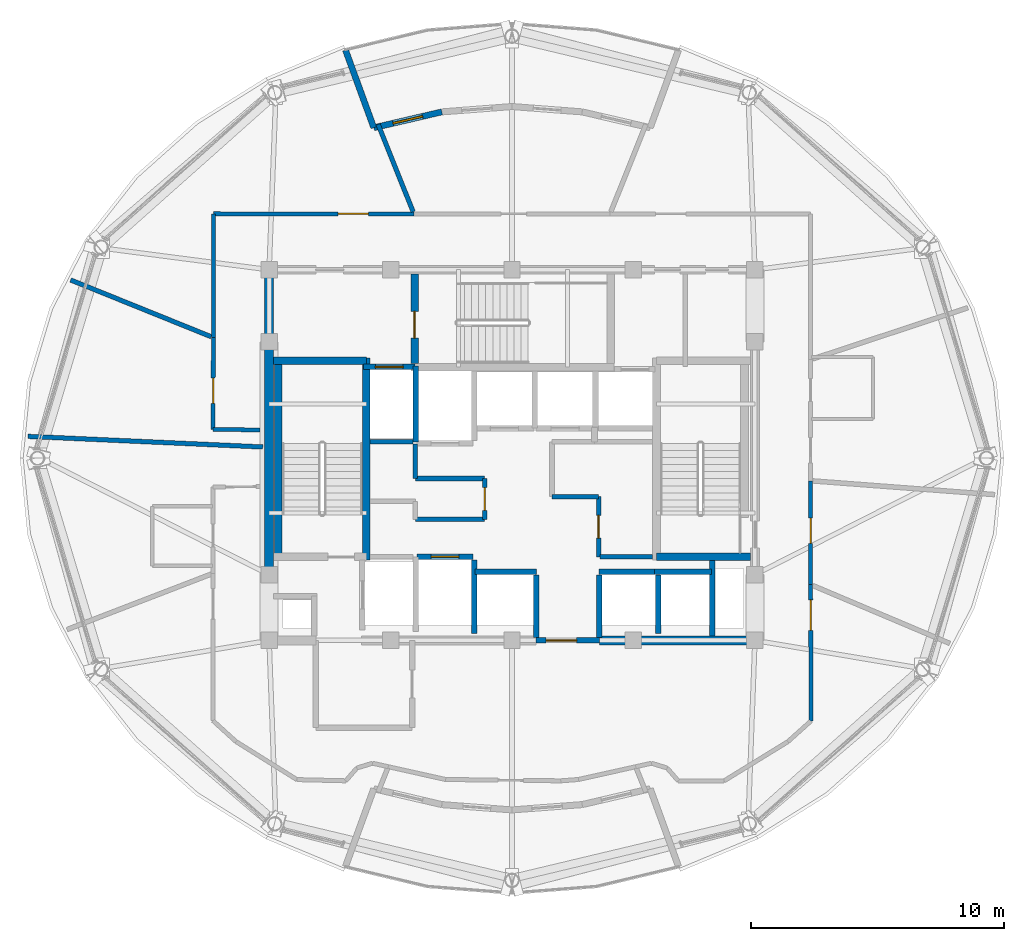
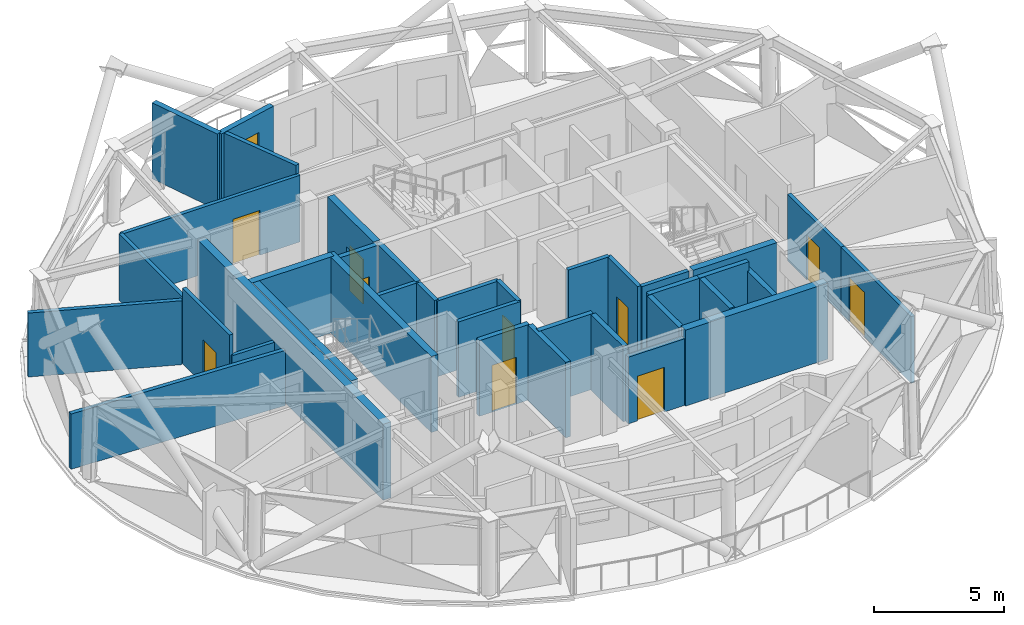
# One storey, part 8 of 13: 38 walls, 10 doors, 1 window, 11 openings.
"""IFC4 building model written with IfcOpenShell, lengths in metres."""

from ifc_helpers import new_model, si_unit, direction, frame, frame_2d, origin, place, context, subcontext, project, spatial, rectangle, extrude, material, layer, layer_set, type_object, element, fill, save


model = new_model("IFC4")

# Units and contexts
model_context = context("Model", 3, precision=1e-05, world=origin(), true_north=direction((0.0, 1.0)))
body_context = subcontext(model_context, "Body", "Model", "MODEL_VIEW")
ifc_project = project(units=[si_unit("LENGTHUNIT", "METRE"), si_unit("AREAUNIT", "SQUARE_METRE"), si_unit("VOLUMEUNIT", "CUBIC_METRE"), si_unit("PLANEANGLEUNIT", "RADIAN"), si_unit("MASSUNIT", "GRAM", prefix="KILO")], contexts=[model_context])

# Site, building, storey
site_placement = place(None, origin())
site = spatial("IfcSite", under=ifc_project, at=site_placement, CompositionType="ELEMENT")
building_placement = place(site_placement, origin())
building = spatial("IfcBuilding", under=site, at=building_placement, Name="Vantalir Tower", CompositionType="ELEMENT")
storey_placement = place(building_placement, frame((0.0, 0.0, 282.60009765625)))
storey = spatial("IfcBuildingStorey", under=building, at=storey_placement, Name="L71", CompositionType="ELEMENT", Elevation=282.60009765625)

# Walls
ifc_material_1 = material(Name="Concrete C50/60", Category="concrete")
ifc_layer_1 = layer(ifc_material_1, 0.35009765625)
ifc_layer_set_1 = layer_set([ifc_layer_1], Name="Concrete C50/60")
wall_type_1 = type_object("IfcWallType", Name="WL-CORE-350", PredefinedType="SHEAR", material=ifc_layer_set_1)
wall_1_placement = place(storey_placement, frame((34.949951171875, 17.800048828125, 0.0), z_axis=(0.0, 0.0, 1.0), x_axis=(1.0, 0.0, 0.0)))
element("IfcWall", 1, at=wall_1_placement, inside=storey, type_object=wall_type_1, Name="L71 Core Shear Wall South-East", PredefinedType="SHEAR", context=body_context, shape_type="SweptSolid", body=[
    extrude(rectangle(XDim=6.324951171875, YDim=0.35009765625, at=frame_2d((3.16259765625, 0.0))), origin(), (0.0, 0.0, 1.0), 3.56982421875),
])
wall_2_placement = place(storey_placement, frame((21.89990234375, 17.97509765625, 0.0), z_axis=(0.0, 0.0, 1.0), x_axis=(0.0, 1.0, 0.0)))
element("IfcWall", 2, at=wall_2_placement, inside=storey, type_object=wall_type_1, Name="L71 Core Shear Wall West", PredefinedType="SHEAR", context=body_context, shape_type="SweptSolid", body=[
    extrude(rectangle(XDim=14.2998046875, YDim=0.35009765625, at=frame_2d((7.14990234375, 0.0))), origin(), (0.0, 0.0, 1.0), 3.56982421875),
])
ifc_material_2 = material(Name="Fire-rated hotel corridor acoustic partition", Category="gypsum")
ifc_layer_2 = layer(ifc_material_2, 0.159912109375)
ifc_layer_set_2 = layer_set([ifc_layer_2], Name="Fire-rated hotel corridor acoustic partition")
wall_type_2 = type_object("IfcWallType", Name="WL-CORR-160", PredefinedType="PARTITIONING", material=ifc_layer_set_2)
wall_3_placement = place(storey_placement, frame((21.544921875, 26.116943359375, 0.0), z_axis=(0.0, 0.0, 1.0), x_axis=(-0.999908513059, 0.0135264745, 0.0)))
element("IfcWall", 3, at=wall_3_placement, inside=storey, type_object=wall_type_2, Name="L71 Corridor Partition 01", PredefinedType="PARTITIONING", context=body_context, shape_type="SweptSolid", body=[
    extrude(rectangle(XDim=1.859130859375, YDim=0.159912109375, at=frame_2d((0.9296875, 0.0))), origin(), (0.0, 0.0, 1.0), 2.594970703125),
])

# Wall, opening, door
wall_4_placement = place(storey_placement, frame((19.68603515625, 26.14208984375, 0.0), z_axis=(0.0, 0.0, 1.0), x_axis=(0.002760560448, 0.999996189646, 0.0)))
wall_4 = element("IfcWall", 4, at=wall_4_placement, inside=storey, type_object=wall_type_2, Name="L71 Corridor Partition 02", PredefinedType="PARTITIONING", context=body_context, shape_type="SweptSolid", body=[
    extrude(rectangle(XDim=3.6259765625, YDim=0.159912109375, at=frame_2d((1.81298828125, 0.0))), origin(), (0.0, 0.0, 1.0), 3.5498046875),
])
opening_1_placement = place(wall_4_placement, frame((1.02490234375, 0.0, 0.0)))
opening_1 = element("IfcOpeningElement", 5, at=opening_1_placement, cuts=wall_4, Name="Opening D-GUEST", PredefinedType="OPENING", context=body_context, shape_type="SweptSolid", body=[
    extrude(rectangle(XDim=1.0, YDim=2.10009765625, at=frame_2d((0.5, 1.050048828125))), frame((0.0, 0.08984375, 0.0), z_axis=(0.0, -1.0, 0.0), x_axis=(1.0, 0.0, 0.0)), (0.0, 0.0, 1.0), 0.179931640625),
])
ifc_material_3 = material(Name="Solid-core teak veneer acoustic fire door", Category="wood")
door_type_1 = type_object("IfcDoorType", Name="DR-GUEST-ENTRY-1000", OperationType="NOTDEFINED", PredefinedType="DOOR", material=ifc_material_3)
door_1_placement = place(opening_1_placement, origin())
door_1 = element("IfcDoor", 6, at=door_1_placement, inside=storey, type_object=door_type_1, Name="L71 Executive Business Study 04 Door", OperationType="SINGLE_SWING_LEFT", OverallHeight=2.10009765625, OverallWidth=1.0, PredefinedType="DOOR", context=body_context, shape_type="SweptSolid", body=[
    extrude(rectangle(XDim=1.0, YDim=2.10009765625, at=frame_2d((0.5, 1.050048828125))), frame((0.0, 0.02490234375, 0.0), z_axis=(0.0, -1.0, 0.0), x_axis=(1.0, 0.0, 0.0)), (0.0, 0.0, 1.0), 0.050048828125),
])
fill(opening_1, door_1)

# Wall
wall_5_placement = place(storey_placement, frame((19.696044921875, 29.76806640625, 0.0), z_axis=(0.0, 0.0, 1.0), x_axis=(0.002843448547, 0.999995957392, 0.0)))
element("IfcWall", 7, at=wall_5_placement, inside=storey, type_object=wall_type_2, Name="L71 Corridor Partition 03", PredefinedType="PARTITIONING", context=body_context, shape_type="SweptSolid", body=[
    extrude(rectangle(XDim=4.89404296875, YDim=0.159912109375, at=frame_2d((2.447021484375, 0.0))), origin(), (0.0, 0.0, 1.0), 3.1318359375),
])

# Wall, opening, door
wall_6_placement = place(storey_placement, frame((19.7099609375, 34.662109375, 0.0), z_axis=(0.0, 0.0, 1.0), x_axis=(0.999999988104, -0.000154244816, 0.0)))
wall_6 = element("IfcWall", 8, at=wall_6_placement, inside=storey, type_object=wall_type_2, Name="L71 Corridor Partition 04", PredefinedType="PARTITIONING", context=body_context, shape_type="SweptSolid", body=[
    extrude(rectangle(XDim=7.9140625, YDim=0.159912109375, at=frame_2d((3.95703125, 0.0))), origin(), (0.0, 0.0, 1.0), 3.1318359375),
])
opening_2_placement = place(wall_6_placement, frame((4.91796875, 0.0, 0.0)))
opening_2 = element("IfcOpeningElement", 9, at=opening_2_placement, cuts=wall_6, Name="Opening D-STE", PredefinedType="OPENING", context=body_context, shape_type="SweptSolid", body=[
    extrude(rectangle(XDim=1.199951171875, YDim=2.10009765625, at=frame_2d((0.60009765625, 1.050048828125))), frame((0.0, 0.08984375, 0.0), z_axis=(0.0, -1.0, 0.0), x_axis=(1.0, 0.0, 0.0)), (0.0, 0.0, 1.0), 0.179931640625),
])
ifc_material_4 = material(Name="Solid-core teak veneer suite entrance door", Category="wood")
door_type_2 = type_object("IfcDoorType", Name="DR-SUITE-ENTRY-1200", OperationType="NOTDEFINED", PredefinedType="DOOR", material=ifc_material_4)
door_2_placement = place(opening_2_placement, origin())
door_2 = element("IfcDoor", 10, at=door_2_placement, inside=storey, type_object=door_type_2, Name="L71 Club Reading Lounge 03 Door", OperationType="SINGLE_SWING_RIGHT", OverallHeight=2.10009765625, OverallWidth=1.199951171875, PredefinedType="DOOR", context=body_context, shape_type="SweptSolid", body=[
    extrude(rectangle(XDim=1.199951171875, YDim=2.10009765625, at=frame_2d((0.60009765625, 1.050048828125))), frame((0.0, 0.02490234375, 0.0), z_axis=(0.0, -1.0, 0.0), x_axis=(1.0, 0.0, 0.0)), (0.0, 0.0, 1.0), 0.050048828125),
])
fill(opening_2, door_2)

wall_7_placement = place(storey_placement, frame((43.302978515625, 24.110107421875, 0.0), z_axis=(0.0, 0.0, 1.0), x_axis=(0.000713648346, -0.999999745353, 0.0)))
wall_7 = element("IfcWall", 11, at=wall_7_placement, inside=storey, type_object=wall_type_2, Name="L71 Corridor Partition 09", PredefinedType="PARTITIONING", context=body_context, shape_type="SweptSolid", body=[
    extrude(rectangle(XDim=4.105224609375, YDim=0.159912109375, at=frame_2d((2.052734375, 0.0))), origin(), (0.0, 0.0, 1.0), 3.1318359375),
])
opening_3_placement = place(wall_7_placement, frame((1.47900390625, 0.0, 0.0)))
opening_3 = element("IfcOpeningElement", 12, at=opening_3_placement, cuts=wall_7, Name="Opening D-GUEST", PredefinedType="OPENING", context=body_context, shape_type="SweptSolid", body=[
    extrude(rectangle(XDim=1.0, YDim=2.10009765625, at=frame_2d((0.5, 1.050048828125))), frame((0.0, 0.08984375, 0.0), z_axis=(0.0, -1.0, 0.0), x_axis=(1.0, 0.0, 0.0)), (0.0, 0.0, 1.0), 0.179931640625),
])
door_3_placement = place(opening_3_placement, origin())
door_3 = element("IfcDoor", 13, at=door_3_placement, inside=storey, type_object=door_type_1, Name="L71 Executive Business Study 09 Door", OperationType="SINGLE_SWING_RIGHT", OverallHeight=2.10009765625, OverallWidth=1.0, PredefinedType="DOOR", context=body_context, shape_type="SweptSolid", body=[
    extrude(rectangle(XDim=1.0, YDim=2.10009765625, at=frame_2d((0.5, 1.050048828125))), frame((0.0, 0.02490234375, 0.0), z_axis=(0.0, -1.0, 0.0), x_axis=(1.0, 0.0, 0.0)), (0.0, 0.0, 1.0), 0.050048828125),
])
fill(opening_3, door_3)

wall_8_placement = place(storey_placement, frame((43.305908203125, 20.0048828125, 0.0), z_axis=(0.0, 0.0, 1.0), x_axis=(0.000950699014, -0.999999548086, 0.0)))
wall_8 = element("IfcWall", 14, at=wall_8_placement, inside=storey, type_object=wall_type_2, Name="L71 Corridor Partition 10", PredefinedType="PARTITIONING", context=body_context, shape_type="SweptSolid", body=[
    extrude(rectangle(XDim=5.392822265625, YDim=0.159912109375, at=frame_2d((2.6962890625, 0.0))), origin(), (0.0, 0.0, 1.0), 3.1318359375),
])
opening_4_placement = place(wall_8_placement, frame((0.60693359375, 0.0, 0.0)))
opening_4 = element("IfcOpeningElement", 15, at=opening_4_placement, cuts=wall_8, Name="Opening D-STE", PredefinedType="OPENING", context=body_context, shape_type="SweptSolid", body=[
    extrude(rectangle(XDim=1.199951171875, YDim=2.10009765625, at=frame_2d((0.60009765625, 1.050048828125))), frame((0.0, 0.08984375, 0.0), z_axis=(0.0, -1.0, 0.0), x_axis=(1.0, 0.0, 0.0)), (0.0, 0.0, 1.0), 0.179931640625),
])
door_4_placement = place(opening_4_placement, origin())
door_4 = element("IfcDoor", 16, at=door_4_placement, inside=storey, type_object=door_type_2, Name="L71 Club Reading Lounge 08 Door", OperationType="SINGLE_SWING_LEFT", OverallHeight=2.10009765625, OverallWidth=1.199951171875, PredefinedType="DOOR", context=body_context, shape_type="SweptSolid", body=[
    extrude(rectangle(XDim=1.199951171875, YDim=2.10009765625, at=frame_2d((0.60009765625, 1.050048828125))), frame((0.0, 0.02490234375, 0.0), z_axis=(0.0, -1.0, 0.0), x_axis=(1.0, 0.0, 0.0)), (0.0, 0.0, 1.0), 0.050048828125),
])
fill(opening_4, door_4)

# Wall
ifc_material_5 = material(Name="Precast concrete C40/50 insulated sky-garden wall", Category="concrete")
ifc_layer_3 = layer(ifc_material_5, 0.239990234375)
ifc_layer_set_3 = layer_set([ifc_layer_3], Name="Precast concrete C40/50 insulated sky-garden wall")
wall_type_3 = type_object("IfcWallType", Name="WL-EXT-SG-240", PredefinedType="SOLIDWALL", material=ifc_layer_set_3)
wall_9_placement = place(storey_placement, frame((26.0380859375, 38.06201171875, 0.0), z_axis=(0.0, 0.0, 1.0), x_axis=(-0.341934878677, 0.939723650199, 0.0)))
element("IfcWall", 17, at=wall_9_placement, inside=storey, type_object=wall_type_3, Name="L71 Wind Portal Return NB", PredefinedType="SOLIDWALL", context=body_context, shape_type="SweptSolid", body=[
    extrude(rectangle(XDim=3.27001953125, YDim=0.239990234375, at=frame_2d((1.635009765625, 0.0))), origin(), (0.0, 0.0, 1.0), 3.56982421875),
])

# Wall, opening, window
wall_10_placement = place(storey_placement, frame((28.72705078125, 38.68896484375, 0.0), z_axis=(0.0, 0.0, 1.0), x_axis=(-0.973879024803, -0.227067490076, 0.0)))
wall_10 = element("IfcWall", 18, at=wall_10_placement, inside=storey, type_object=wall_type_3, Name="L71 Wind Portal Lounge Wall N4", PredefinedType="SOLIDWALL", context=body_context, shape_type="SweptSolid", body=[
    extrude(rectangle(XDim=2.760986328125, YDim=0.239990234375, at=frame_2d((1.38037109375, 0.0))), origin(), (0.0, 0.0, 1.0), 3.56982421875),
])
opening_5_placement = place(wall_10_placement, frame((0.781005859375, 0.0, 0.89990234375)))
opening_5 = element("IfcOpeningElement", 19, at=opening_5_placement, cuts=wall_10, Name="Opening WN-4", PredefinedType="OPENING", context=body_context, shape_type="SweptSolid", body=[
    extrude(rectangle(XDim=1.199951171875, YDim=1.800048828125, at=frame_2d((0.60009765625, 0.89990234375))), frame((0.0, 0.1298828125, 0.0), z_axis=(0.0, -1.0, 0.0), x_axis=(1.0, 0.0, 0.0)), (0.0, 0.0, 1.0), 0.260009765625),
])
ifc_material_6 = material(Name="Operable smoke-vent Low-E window", Category="glass")
window_type = type_object("IfcWindowType", Name="WIN-SG-1200x1800", PartitioningType="SINGLE_PANEL", PredefinedType="WINDOW", material=ifc_material_6)
window_placement = place(opening_5_placement, origin())
window = element("IfcWindow", 20, at=window_placement, inside=storey, type_object=window_type, Name="L71 Wind Portal Viewing Window N4", OverallHeight=1.800048828125, OverallWidth=1.199951171875, PartitioningType="SINGLE_PANEL", PredefinedType="WINDOW", context=body_context, shape_type="SweptSolid", body=[
    extrude(rectangle(XDim=1.199951171875, YDim=1.800048828125, at=frame_2d((0.60009765625, 0.89990234375))), frame((0.0, 0.030029296875, 0.0), z_axis=(0.0, -1.0, 0.0), x_axis=(1.0, 0.0, 0.0)), (0.0, 0.0, 1.0), 0.06005859375),
])
fill(opening_5, window)

# Walls
ifc_material_7 = material(Name="Concrete blockwork with fireboard lining", Category="masonry")
ifc_layer_4 = layer(ifc_material_7, 0.219970703125)
ifc_layer_set_4 = layer_set([ifc_layer_4], Name="Concrete blockwork with fireboard lining")
wall_type_4 = type_object("IfcWallType", Name="WL-FFL-220", PredefinedType="PARTITIONING", material=ifc_layer_set_4)
wall_11_placement = place(storey_placement, frame((30.0, 18.080078125, 0.0), z_axis=(0.0, 0.0, 1.0), x_axis=(0.0, 1.0, 0.0)))
element("IfcWall", 21, at=wall_11_placement, inside=storey, type_object=wall_type_4, Name="L71 Service Lift SV1 East Shaft Wall", PredefinedType="PARTITIONING", context=body_context, shape_type="SweptSolid", body=[
    extrude(rectangle(XDim=2.89990234375, YDim=0.219970703125, at=frame_2d((1.449951171875, 0.0))), origin(), (0.0, 0.0, 1.0), 3.544921875),
])
for number, where, z_axis, x_axis, name in (
    (22, (32.449951171875, 17.919921875, 0.0), (0.0, 0.0, 1.0), (0.0, 1.0, 0.0), "L71 Shuttle Lift PL-X1 East Shaft Cheek"),
    (23, (34.949951171875, 17.919921875, 0.0), (0.0, 0.0, 1.0), (0.0, 1.0, 0.0), "L71 Shuttle Lift PL-X3 West Shaft Cheek"),
):
    element("IfcWall", number, at=place(storey_placement, frame(where, z_axis=z_axis, x_axis=x_axis)), inside=storey, type_object=wall_type_4, Name=name, PredefinedType="PARTITIONING", context=body_context, shape_type="SweptSolid", body=[
        extrude(rectangle(XDim=2.469970703125, YDim=0.219970703125, at=frame_2d((1.23486328125, 0.0))), origin(), (0.0, 0.0, 1.0), 3.544921875),
    ])
wall_12_placement = place(storey_placement, frame((37.27490234375, 18.080078125, 0.0), z_axis=(0.0, 0.0, 1.0), x_axis=(0.0, 1.0, 0.0)))
element("IfcWall", 24, at=wall_12_placement, inside=storey, type_object=wall_type_4, Name="L71 Shuttle Lift PL-X2/X3 Shaft Divider", PredefinedType="PARTITIONING", context=body_context, shape_type="SweptSolid", body=[
    extrude(rectangle(XDim=2.309814453125, YDim=0.219970703125, at=frame_2d((1.15478515625, 0.0))), origin(), (0.0, 0.0, 1.0), 3.544921875),
])

# Wall, opening, door
wall_13_placement = place(storey_placement, frame((32.449951171875, 17.800048828125, 0.0), z_axis=(0.0, 0.0, 1.0), x_axis=(1.0, 0.0, 0.0)))
wall_13 = element("IfcWall", 25, at=wall_13_placement, inside=storey, type_object=wall_type_4, Name="L71 Passenger Lift Lobby South Wall", PredefinedType="PARTITIONING", context=body_context, shape_type="SweptSolid", body=[
    extrude(rectangle(XDim=2.5, YDim=0.219970703125, at=frame_2d((1.25, 0.0))), origin(), (0.0, 0.0, 1.0), 3.1318359375),
])
opening_6_placement = place(wall_13_placement, frame((0.39990234375, 0.0, 0.0)))
opening_6 = element("IfcOpeningElement", 26, at=opening_6_placement, cuts=wall_13, Name="Opening D-STE", PredefinedType="OPENING", context=body_context, shape_type="SweptSolid", body=[
    extrude(rectangle(XDim=1.199951171875, YDim=2.10009765625, at=frame_2d((0.60009765625, 1.050048828125))), frame((0.0, 0.119873046875, 0.0), z_axis=(0.0, -1.0, 0.0), x_axis=(1.0, 0.0, 0.0)), (0.0, 0.0, 1.0), 0.239990234375),
])
door_5_placement = place(opening_6_placement, origin())
door_5 = element("IfcDoor", 27, at=door_5_placement, inside=storey, type_object=door_type_2, Name="L71 Passenger Lift Lobby Concourse Door", OperationType="SINGLE_SWING_RIGHT", OverallHeight=2.10009765625, OverallWidth=1.199951171875, PredefinedType="DOOR", context=body_context, shape_type="SweptSolid", body=[
    extrude(rectangle(XDim=1.199951171875, YDim=2.10009765625, at=frame_2d((0.60009765625, 1.050048828125))), frame((0.0, 0.02490234375, 0.0), z_axis=(0.0, -1.0, 0.0), x_axis=(1.0, 0.0, 0.0)), (0.0, 0.0, 1.0), 0.050048828125),
])
fill(opening_6, door_5)

# Wall
wall_14_placement = place(storey_placement, frame((39.419921875, 17.97509765625, 0.0), z_axis=(0.0, 0.0, 1.0), x_axis=(0.0, 1.0, 0.0)))
element("IfcWall", 28, at=wall_14_placement, inside=storey, type_object=wall_type_4, Name="L71 East MEP Riser Wall W", PredefinedType="PARTITIONING", context=body_context, shape_type="SweptSolid", body=[
    extrude(rectangle(XDim=2.974853515625, YDim=0.219970703125, at=frame_2d((1.4873046875, 0.0))), origin(), (0.0, 0.0, 1.0), 3.1318359375),
])

# Wall, opening, door
wall_15_placement = place(storey_placement, frame((25.639892578125, 28.610107421875, 0.0), z_axis=(0.0, 0.0, 1.0), x_axis=(1.0, 0.0, 0.0)))
wall_15 = element("IfcWall", 29, at=wall_15_placement, inside=storey, type_object=wall_type_4, Name="L71 Lift FL2 Shaft Front Wall", PredefinedType="PARTITIONING", context=body_context, shape_type="SweptSolid", body=[
    extrude(rectangle(XDim=2.02001953125, YDim=0.219970703125, at=frame_2d((1.010009765625, 0.0))), origin(), (0.0, 0.0, 1.0), 3.5498046875),
])
opening_7_placement = place(wall_15_placement, frame((0.4599609375, 0.0, 0.0)))
opening_7 = element("IfcOpeningElement", 30, at=opening_7_placement, cuts=wall_15, Name="Opening LD-FL2", PredefinedType="OPENING", context=body_context, shape_type="SweptSolid", body=[
    extrude(rectangle(XDim=1.10009765625, YDim=2.199951171875, at=frame_2d((0.550048828125, 1.10009765625))), frame((0.0, 0.119873046875, 0.0), z_axis=(0.0, -1.0, 0.0), x_axis=(1.0, 0.0, 0.0)), (0.0, 0.0, 1.0), 0.239990234375),
])
ifc_material_8 = material(Name="Brushed stainless-steel sliding lift landing door", Category="steel")
door_type_3 = type_object("IfcDoorType", Name="DR-LIFT-LANDING-1100", OperationType="DOUBLE_DOOR_SLIDING", PredefinedType="DOOR", material=ifc_material_8)
door_6_placement = place(opening_7_placement, origin())
door_6 = element("IfcDoor", 31, at=door_6_placement, inside=storey, type_object=door_type_3, Name="L71 Lift Landing Door FL2", OperationType="DOUBLE_DOOR_SLIDING", OverallHeight=2.199951171875, OverallWidth=1.10009765625, PredefinedType="DOOR", context=body_context, shape_type="SweptSolid", body=[
    extrude(rectangle(XDim=1.10009765625, YDim=2.199951171875, at=frame_2d((0.550048828125, 1.10009765625))), frame((0.0, 0.02490234375, 0.0), z_axis=(0.0, -1.0, 0.0), x_axis=(1.0, 0.0, 0.0)), (0.0, 0.0, 1.0), 0.050048828125),
])
fill(opening_7, door_6)

wall_16_placement = place(storey_placement, frame((27.739990234375, 21.110107421875, 0.0), z_axis=(0.0, 0.0, 1.0), x_axis=(1.0, 0.0, 0.0)))
wall_16 = element("IfcWall", 32, at=wall_16_placement, inside=storey, type_object=wall_type_4, Name="L71 Lift SV1 Shaft Front Wall", PredefinedType="PARTITIONING", context=body_context, shape_type="SweptSolid", body=[
    extrude(rectangle(XDim=2.219970703125, YDim=0.219970703125, at=frame_2d((1.10986328125, 0.0))), origin(), (0.0, 0.0, 1.0), 3.5498046875),
])
opening_8_placement = place(wall_16_placement, frame((0.56005859375, 0.0, 0.0)))
opening_8 = element("IfcOpeningElement", 33, at=opening_8_placement, cuts=wall_16, Name="Opening LD-SV1", PredefinedType="OPENING", context=body_context, shape_type="SweptSolid", body=[
    extrude(rectangle(XDim=1.10009765625, YDim=2.199951171875, at=frame_2d((0.550048828125, 1.10009765625))), frame((0.0, 0.119873046875, 0.0), z_axis=(0.0, -1.0, 0.0), x_axis=(1.0, 0.0, 0.0)), (0.0, 0.0, 1.0), 0.239990234375),
])
door_7_placement = place(opening_8_placement, origin())
door_7 = element("IfcDoor", 34, at=door_7_placement, inside=storey, type_object=door_type_3, Name="L71 Lift Landing Door SV1", OperationType="DOUBLE_DOOR_SLIDING", OverallHeight=2.199951171875, OverallWidth=1.10009765625, PredefinedType="DOOR", context=body_context, shape_type="SweptSolid", body=[
    extrude(rectangle(XDim=1.10009765625, YDim=2.199951171875, at=frame_2d((0.550048828125, 1.10009765625))), frame((0.0, 0.02490234375, 0.0), z_axis=(0.0, -1.0, 0.0), x_axis=(1.0, 0.0, 0.0)), (0.0, 0.0, 1.0), 0.050048828125),
])
fill(opening_8, door_7)

# Walls
wall_17_placement = place(storey_placement, frame((30.0400390625, 20.510009765625, 0.0), z_axis=(0.0, 0.0, 1.0), x_axis=(1.0, 0.0, 0.0)))
element("IfcWall", 35, at=wall_17_placement, inside=storey, type_object=wall_type_4, Name="L71 Lift PL-X1 Shaft Front Wall", PredefinedType="PARTITIONING", context=body_context, shape_type="SweptSolid", body=[
    extrude(rectangle(XDim=2.419921875, YDim=0.219970703125, at=frame_2d((1.2099609375, 0.0))), origin(), (0.0, 0.0, 1.0), 3.5498046875),
])
for number, where, z_axis, x_axis, name in (
    (36, (37.139892578125, 20.510009765625, 0.0), (0.0, 0.0, 1.0), (1.0, 0.0, 0.0), "L71 Lift PL-X2 Shaft Rear Wall"),
    (37, (34.93994140625, 20.510009765625, 0.0), (0.0, 0.0, 1.0), (1.0, 0.0, 0.0), "L71 Lift PL-X3 Shaft Front Wall"),
):
    element("IfcWall", number, at=place(storey_placement, frame(where, z_axis=z_axis, x_axis=x_axis)), inside=storey, type_object=wall_type_4, Name=name, PredefinedType="PARTITIONING", context=body_context, shape_type="SweptSolid", body=[
        extrude(rectangle(XDim=2.239990234375, YDim=0.219970703125, at=frame_2d((1.1201171875, 0.0))), origin(), (0.0, 0.0, 1.0), 3.5498046875),
    ])
wall_18_placement = place(storey_placement, frame((27.699951171875, 25.64990234375, 0.0), z_axis=(0.0, 0.0, 1.0), x_axis=(0.0, 1.0, 0.0)))
element("IfcWall", 38, at=wall_18_placement, inside=storey, type_object=wall_type_4, Name="L71 Fire Lift FL2 Dividing Wall", PredefinedType="PARTITIONING", context=body_context, shape_type="SweptSolid", body=[
    extrude(rectangle(XDim=3.0, YDim=0.219970703125, at=frame_2d((1.5, 0.0))), origin(), (0.0, 0.0, 1.0), 3.5498046875),
])
ifc_material_9 = material(Name="Twin-stud acoustic fire-rated gypsum partition", Category="gypsum")
ifc_layer_5 = layer(ifc_material_9, 0.179931640625)
ifc_layer_set_5 = layer_set([ifc_layer_5], Name="Twin-stud acoustic fire-rated gypsum partition")
wall_type_5 = type_object("IfcWallType", Name="WL-GUEST-180", PredefinedType="PARTITIONING", material=ifc_layer_set_5)
wall_19_placement = place(storey_placement, frame((25.889892578125, 25.64990234375, 0.0), z_axis=(0.0, 0.0, 1.0), x_axis=(1.0, 0.0, 0.0)))
element("IfcWall", 39, at=wall_19_placement, inside=storey, type_object=wall_type_5, Name="L71 Freed West Core North Wall", PredefinedType="PARTITIONING", context=body_context, shape_type="SweptSolid", body=[
    extrude(rectangle(XDim=1.7001953125, YDim=0.179931640625, at=frame_2d((0.85009765625, 0.0))), origin(), (0.0, 0.0, 1.0), 3.5498046875),
])
wall_20_placement = place(storey_placement, frame((27.679931640625, 22.580078125, 0.0), z_axis=(0.0, 0.0, 1.0), x_axis=(1.0, 0.0, 0.0)))
element("IfcWall", 40, at=wall_20_placement, inside=storey, type_object=wall_type_5, Name="L71 West Linen Alcove South Wall", PredefinedType="PARTITIONING", context=body_context, shape_type="SweptSolid", body=[
    extrude(rectangle(XDim=2.739990234375, YDim=0.179931640625, at=frame_2d((1.3701171875, 0.0))), origin(), (0.0, 0.0, 1.0), 3.5498046875),
])

# Wall, opening, door
wall_21_placement = place(storey_placement, frame((30.419921875, 22.580078125, 0.0), z_axis=(0.0, 0.0, 1.0), x_axis=(0.0, 1.0, 0.0)))
wall_21 = element("IfcWall", 41, at=wall_21_placement, inside=storey, type_object=wall_type_5, Name="L71 West Linen Alcove East Wall", PredefinedType="PARTITIONING", context=body_context, shape_type="SweptSolid", body=[
    extrude(rectangle(XDim=1.619873046875, YDim=0.179931640625, at=frame_2d((0.81005859375, 0.0))), origin(), (0.0, 0.0, 1.0), 3.5498046875),
])
opening_9_placement = place(wall_21_placement, frame((0.360107421875, 0.0, 0.0)))
opening_9 = element("IfcOpeningElement", 42, at=opening_9_placement, cuts=wall_21, Name="Opening D-CR", PredefinedType="OPENING", context=body_context, shape_type="SweptSolid", body=[
    extrude(rectangle(XDim=0.89990234375, YDim=2.10009765625, at=frame_2d((0.449951171875, 1.050048828125))), frame((0.0, 0.099853515625, 0.0), z_axis=(0.0, -1.0, 0.0), x_axis=(1.0, 0.0, 0.0)), (0.0, 0.0, 1.0), 0.199951171875),
])
ifc_material_10 = material(Name="Fire-rated steel core service door", Category="steel")
door_type_4 = type_object("IfcDoorType", Name="DR-CORE-SERV-900", OperationType="NOTDEFINED", PredefinedType="DOOR", material=ifc_material_10)
door_8_placement = place(opening_9_placement, origin())
door_8 = element("IfcDoor", 43, at=door_8_placement, inside=storey, type_object=door_type_4, Name="L71 Core Linen Store Door", OperationType="SINGLE_SWING_LEFT", OverallHeight=2.10009765625, OverallWidth=0.89990234375, PredefinedType="DOOR", context=body_context, shape_type="SweptSolid", body=[
    extrude(rectangle(XDim=0.89990234375, YDim=2.10009765625, at=frame_2d((0.449951171875, 1.050048828125))), frame((0.0, 0.02490234375, 0.0), z_axis=(0.0, -1.0, 0.0), x_axis=(1.0, 0.0, 0.0)), (0.0, 0.0, 1.0), 0.050048828125),
])
fill(opening_9, door_8)

# Walls
wall_22_placement = place(storey_placement, frame((27.679931640625, 24.199951171875, 0.0), z_axis=(0.0, 0.0, 1.0), x_axis=(1.0, 0.0, 0.0)))
element("IfcWall", 44, at=wall_22_placement, inside=storey, type_object=wall_type_5, Name="L71 West Linen Alcove North Wall", PredefinedType="PARTITIONING", context=body_context, shape_type="SweptSolid", body=[
    extrude(rectangle(XDim=2.739990234375, YDim=0.179931640625, at=frame_2d((1.3701171875, 0.0))), origin(), (0.0, 0.0, 1.0), 3.5498046875),
])
wall_23_placement = place(storey_placement, frame((27.679931640625, 24.199951171875, 0.0), z_axis=(0.0, 0.0, 1.0), x_axis=(0.0, 1.0, 0.0)))
element("IfcWall", 45, at=wall_23_placement, inside=storey, type_object=wall_type_5, Name="L71 West Linen Upper East Wall", PredefinedType="PARTITIONING", context=body_context, shape_type="SweptSolid", body=[
    extrude(rectangle(XDim=1.360107421875, YDim=0.179931640625, at=frame_2d((0.68017578125, 0.0))), origin(), (0.0, 0.0, 1.0), 3.5498046875),
])
wall_24_placement = place(storey_placement, frame((34.97998046875, 21.10009765625, 0.0), z_axis=(0.0, 0.0, 1.0), x_axis=(1.0, 0.0, 0.0)))
element("IfcWall", 46, at=wall_24_placement, inside=storey, type_object=wall_type_5, Name="L71 Freed East Core South Wall", PredefinedType="PARTITIONING", context=body_context, shape_type="SweptSolid", body=[
    extrude(rectangle(XDim=2.080078125, YDim=0.179931640625, at=frame_2d((1.0400390625, 0.0))), origin(), (0.0, 0.0, 1.0), 3.5498046875),
])
wall_25_placement = place(storey_placement, frame((33.080078125, 23.47998046875, 0.0), z_axis=(0.0, 0.0, 1.0), x_axis=(1.0, 0.0, 0.0)))
element("IfcWall", 47, at=wall_25_placement, inside=storey, type_object=wall_type_5, Name="L71 East Core Alcove South Wall", PredefinedType="PARTITIONING", context=body_context, shape_type="SweptSolid", body=[
    extrude(rectangle(XDim=1.83984375, YDim=0.179931640625, at=frame_2d((0.919921875, 0.0))), origin(), (0.0, 0.0, 1.0), 3.5498046875),
])

# Wall, opening, door
wall_26_placement = place(storey_placement, frame((34.919921875, 21.10009765625, 0.0), z_axis=(0.0, 0.0, 1.0), x_axis=(0.0, 1.0, 0.0)))
wall_26 = element("IfcWall", 48, at=wall_26_placement, inside=storey, type_object=wall_type_5, Name="L71 East Core Lower West Wall", PredefinedType="PARTITIONING", context=body_context, shape_type="SweptSolid", body=[
    extrude(rectangle(XDim=2.3798828125, YDim=0.179931640625, at=frame_2d((1.18994140625, 0.0))), origin(), (0.0, 0.0, 1.0), 3.5498046875),
])
opening_10_placement = place(wall_26_placement, frame((0.739990234375, 0.0, 0.0)))
opening_10 = element("IfcOpeningElement", 49, at=opening_10_placement, cuts=wall_26, Name="Opening D-CR", PredefinedType="OPENING", context=body_context, shape_type="SweptSolid", body=[
    extrude(rectangle(XDim=0.89990234375, YDim=2.10009765625, at=frame_2d((0.449951171875, 1.050048828125))), frame((0.0, 0.099853515625, 0.0), z_axis=(0.0, -1.0, 0.0), x_axis=(1.0, 0.0, 0.0)), (0.0, 0.0, 1.0), 0.199951171875),
])
door_9_placement = place(opening_10_placement, frame((0.89990234375, 0.0, 0.0), z_axis=(0.0, 0.0, 1.0), x_axis=(-1.0, 0.0, 0.0)))
door_9 = element("IfcDoor", 50, at=door_9_placement, inside=storey, type_object=door_type_4, Name="L71 Core Telecoms Door", OperationType="SINGLE_SWING_LEFT", OverallHeight=2.10009765625, OverallWidth=0.89990234375, PredefinedType="DOOR", context=body_context, shape_type="SweptSolid", body=[
    extrude(rectangle(XDim=0.89990234375, YDim=2.10009765625, at=frame_2d((0.449951171875, 1.050048828125))), frame((0.0, 0.02490234375, 0.0), z_axis=(0.0, -1.0, 0.0), x_axis=(1.0, 0.0, 0.0)), (0.0, 0.0, 1.0), 0.050048828125),
])
fill(opening_10, door_9)

# Walls
wall_27_placement = place(storey_placement, frame((27.593017578125, 34.739990234375, 0.0), z_axis=(0.0, 0.0, 1.0), x_axis=(-0.372487745925, 0.928037110861, 0.0)))
element("IfcWall", 51, at=wall_27_placement, inside=storey, type_object=wall_type_5, Name="L71 Radial Suite Partition 03", PredefinedType="PARTITIONING", context=body_context, shape_type="SweptSolid", body=[
    extrude(rectangle(XDim=3.720947265625, YDim=0.179931640625, at=frame_2d((1.8603515625, 0.0))), origin(), (0.0, 0.0, 1.0), 3.5498046875),
])
wall_28_placement = place(storey_placement, frame((19.610107421875, 29.802978515625, 0.0), z_axis=(0.0, 0.0, 1.0), x_axis=(-0.927248912928, 0.374445528047, 0.0)))
element("IfcWall", 52, at=wall_28_placement, inside=storey, type_object=wall_type_5, Name="L71 Radial Suite Partition 04", PredefinedType="PARTITIONING", context=body_context, shape_type="SweptSolid", body=[
    extrude(rectangle(XDim=5.989990234375, YDim=0.179931640625, at=frame_2d((2.9951171875, 0.0))), origin(), (0.0, 0.0, 1.0), 3.0029296875),
])
wall_29_placement = place(storey_placement, frame((21.64990234375, 25.445068359375, 0.0), z_axis=(0.0, 0.0, 1.0), x_axis=(-0.998983595545, 0.045075224158, 0.0)))
element("IfcWall", 53, at=wall_29_placement, inside=storey, type_object=wall_type_5, Name="L71 Radial Suite Partition 05", PredefinedType="PARTITIONING", context=body_context, shape_type="SweptSolid", body=[
    extrude(rectangle(XDim=9.29443359375, YDim=0.179931640625, at=frame_2d((4.647216796875, 0.0))), origin(), (0.0, 0.0, 1.0), 2.594970703125),
])
ifc_layer_6 = layer(ifc_material_1, 0.300048828125)
ifc_layer_set_6 = layer_set([ifc_layer_6], Name="Concrete C50/60")
wall_type_6 = type_object("IfcWallType", Name="WL-STAIR-300", PredefinedType="SHEAR", material=ifc_layer_set_6)
wall_30_placement = place(storey_placement, frame((22.074951171875, 28.85009765625, 0.0), z_axis=(0.0, 0.0, 1.0), x_axis=(1.0, 0.0, 0.0)))
element("IfcWall", 54, at=wall_30_placement, inside=storey, type_object=wall_type_6, Name="L71 Stair ST1 North Wall", PredefinedType="SHEAR", context=body_context, shape_type="SweptSolid", body=[
    extrude(rectangle(XDim=3.6650390625, YDim=0.300048828125, at=frame_2d((1.83251953125, 0.0))), origin(), (0.0, 0.0, 1.0), 3.56982421875),
])
wall_31_placement = place(storey_placement, frame((25.739990234375, 20.97998046875, 0.0), z_axis=(0.0, 0.0, 1.0), x_axis=(0.0, 1.0, 0.0)))
element("IfcWall", 55, at=wall_31_placement, inside=storey, type_object=wall_type_6, Name="L71 Stair ST1 East Wall", PredefinedType="SHEAR", context=body_context, shape_type="SweptSolid", body=[
    extrude(rectangle(XDim=7.989990234375, YDim=0.300048828125, at=frame_2d((3.9951171875, 0.0))), origin(), (0.0, 0.0, 1.0), 3.56982421875),
])
wall_32_placement = place(storey_placement, frame((22.260009765625, 21.10009765625, 0.0), z_axis=(0.0, 0.0, 1.0), x_axis=(0.0, 1.0, 0.0)))
element("IfcWall", 56, at=wall_32_placement, inside=storey, type_object=wall_type_6, Name="L71 Stair ST1 West Liner Wall", PredefinedType="SHEAR", context=body_context, shape_type="SweptSolid", body=[
    extrude(rectangle(XDim=7.75, YDim=0.300048828125, at=frame_2d((3.875, 0.0))), origin(), (0.0, 0.0, 1.0), 3.56982421875),
])
wall_33_placement = place(storey_placement, frame((37.2099609375, 21.10009765625, 0.0), z_axis=(0.0, 0.0, 1.0), x_axis=(1.0, 0.0, 0.0)))
element("IfcWall", 57, at=wall_33_placement, inside=storey, type_object=wall_type_6, Name="L71 Stair ST2 South Wall", PredefinedType="SHEAR", context=body_context, shape_type="SweptSolid", body=[
    extrude(rectangle(XDim=3.715087890625, YDim=0.300048828125, at=frame_2d((1.857421875, 0.0))), origin(), (0.0, 0.0, 1.0), 3.56982421875),
])

# Wall, opening, door
wall_34_placement = place(storey_placement, frame((27.64990234375, 28.75, 0.0), z_axis=(0.0, 0.0, 1.0), x_axis=(0.0, 1.0, 0.0)))
wall_34 = element("IfcWall", 58, at=wall_34_placement, inside=storey, type_object=wall_type_6, Name="L71 Stair ST3 West Wall", PredefinedType="SHEAR", context=body_context, shape_type="SweptSolid", body=[
    extrude(rectangle(XDim=3.52490234375, YDim=0.300048828125, at=frame_2d((1.762451171875, 0.0))), origin(), (0.0, 0.0, 1.0), 3.56982421875),
])
opening_11_placement = place(wall_34_placement, frame((1.0, 0.0, 0.0)))
opening_11 = element("IfcOpeningElement", 59, at=opening_11_placement, cuts=wall_34, Name="Opening D-ST", PredefinedType="OPENING", context=body_context, shape_type="SweptSolid", body=[
    extrude(rectangle(XDim=1.050048828125, YDim=2.10009765625, at=frame_2d((0.52490234375, 1.050048828125))), frame((0.0, 0.159912109375, 0.0), z_axis=(0.0, -1.0, 0.0), x_axis=(1.0, 0.0, 0.0)), (0.0, 0.0, 1.0), 0.320068359375),
])
ifc_material_11 = material(Name="Fire-rated steel door leaf", Category="steel")
door_type_5 = type_object("IfcDoorType", Name="DR-FIRE-STAIR-1050", OperationType="NOTDEFINED", PredefinedType="DOOR", material=ifc_material_11)
door_10_placement = place(opening_11_placement, frame((1.050048828125, 0.0, 0.0), z_axis=(0.0, 0.0, 1.0), x_axis=(-1.0, 0.0, 0.0)))
door_10 = element("IfcDoor", 60, at=door_10_placement, inside=storey, type_object=door_type_5, Name="L71 Exit Stair ST3 Fire Door", OperationType="SINGLE_SWING_RIGHT", OverallHeight=2.10009765625, OverallWidth=1.050048828125, PredefinedType="DOOR", context=body_context, shape_type="SweptSolid", body=[
    extrude(rectangle(XDim=1.050048828125, YDim=2.10009765625, at=frame_2d((0.52490234375, 1.050048828125))), frame((0.0, 0.02490234375, 0.0), z_axis=(0.0, -1.0, 0.0), x_axis=(1.0, 0.0, 0.0)), (0.0, 0.0, 1.0), 0.050048828125),
])
fill(opening_11, door_10)

save(model, "model.ifc")
